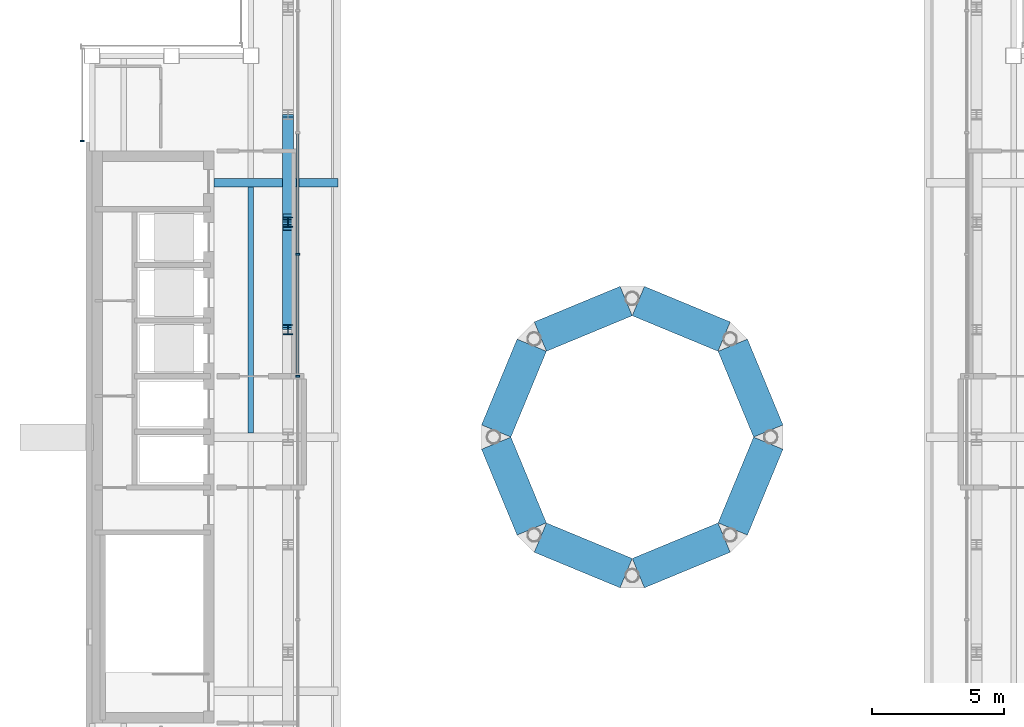
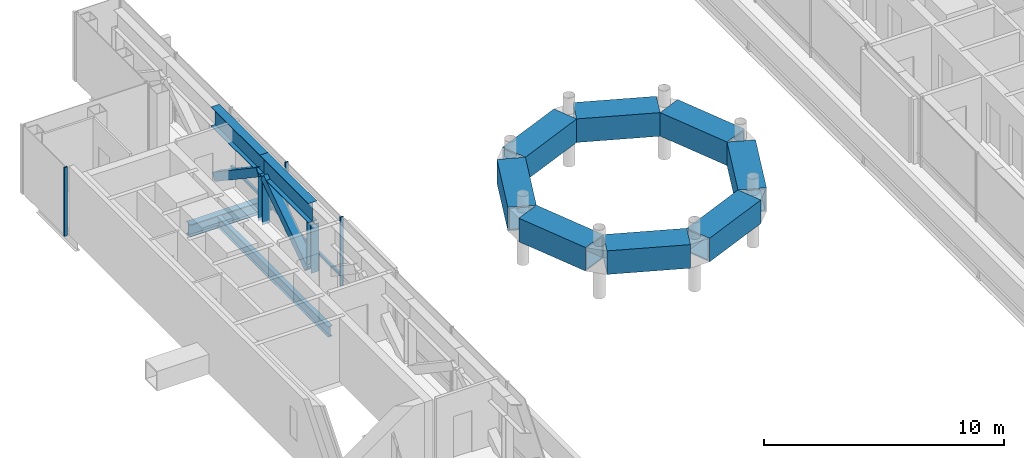
# One storey, part 5 of 16: 11 members, 10 beams, 2 elements without a shape of their own.
"""IFC4 building model written with IfcOpenShell, lengths in metres."""

from ifc_helpers import new_model, si_unit, direction, frame, origin, origin_2d, place, context, subcontext, project, spatial, rectangle, hollow_rectangle, i_section, extrude, material, material_profile, profile_set, type_object, element, aggregate, save


model = new_model("IFC4")

# Units and contexts
model_context = context("Model", 3, precision=1e-05, world=origin(), true_north=direction((0.0, 1.0)))
body_context = subcontext(model_context, "Body", "Model", "MODEL_VIEW")
ifc_project = project(units=[si_unit("LENGTHUNIT", "METRE"), si_unit("AREAUNIT", "SQUARE_METRE"), si_unit("VOLUMEUNIT", "CUBIC_METRE"), si_unit("PLANEANGLEUNIT", "RADIAN"), si_unit("MASSUNIT", "GRAM", prefix="KILO")], contexts=[model_context])

# Site, building, storey
site_placement = place(None, origin())
site = spatial("IfcSite", under=ifc_project, at=site_placement, CompositionType="ELEMENT")
building_placement = place(site_placement, origin())
building = spatial("IfcBuilding", under=site, at=building_placement, Name="Cobrizo Arcos Hotel Tower", CompositionType="ELEMENT")
storey_placement = place(building_placement, frame((0.0, 0.0, 286.5)))
storey = spatial("IfcBuildingStorey", under=building, at=storey_placement, Name="L76", CompositionType="ELEMENT", Elevation=286.5)

# Beams
ifc_material_1 = material(Name="Steel ASTM A572 Grade 50", Category="steel")
ifc_material_profile_1 = material_profile(ifc_material_1, hollow_rectangle(XDim=1.199951171875, YDim=1.199951171875, WallThickness=0.070068359375, at=origin_2d()), Name="BOX 1200X1200X70")
ifc_profile_set_1 = profile_set([ifc_material_profile_1], Name="Steel ASTM A572 Grade 50")
beam_type_1 = type_object("IfcBeamType", Name="BOX 1200X1200X70 drum ring beam", PredefinedType="BEAM", material=ifc_profile_set_1)
for number, where, z_axis, x_axis, name in (
    (1, (5.137451171875, 0.2294921875, 2.066650390625), (-0.382642737497, 0.923896387827, 0.0), (-0.923896387827, -0.382642737497, 0.0), "Drum ring beam RB1, tier 2, no. 0"),
    (2, (3.470458984375, 3.795166015625, 2.066650390625), (-0.923896387827, 0.382642737497, 0.0), (-0.382642737497, -0.923896387827, 0.0), "Drum ring beam RB2, tier 2, no. 1"),
    (3, (-0.2294921875, 5.137451171875, 2.066650390625), (-0.923896387827, -0.382642737497, 0.0), (0.382642737497, -0.923896387827, 0.0), "Drum ring beam RB3, tier 2, no. 2"),
    (4, (-3.795166015625, 3.470458984375, 2.066650390625), (-0.382642737497, -0.923896387827, 0.0), (0.923896387827, -0.382642737497, 0.0), "Drum ring beam RB4, tier 2, no. 3"),
    (5, (-5.137451171875, -0.2294921875, 2.066650390625), (0.382642737497, -0.923896387827, 0.0), (0.923896387827, 0.382642737497, 0.0), "Drum ring beam RB5, tier 2, no. 4"),
    (6, (-3.470458984375, -3.795166015625, 2.066650390625), (0.923896387827, -0.382642737497, 0.0), (0.382642737497, 0.923896387827, 0.0), "Drum ring beam RB6, tier 2, no. 5"),
    (7, (0.2294921875, -5.137451171875, 2.066650390625), (0.923896387827, 0.382642737497, 0.0), (-0.382642737497, 0.923896387827, 0.0), "Drum ring beam RB7, tier 2, no. 6"),
    (8, (3.795166015625, -3.470458984375, 2.066650390625), (0.382642737497, 0.923896387827, 0.0), (-0.923896387827, 0.382642737497, 0.0), "Drum ring beam RB8, tier 2, no. 7"),
):
    element("IfcBeam", number, at=place(storey_placement, frame(where, z_axis=z_axis, x_axis=x_axis)), inside=storey, type_object=beam_type_1, Name=name, PredefinedType="BEAM", context=body_context, shape_type="SweptSolid", body=[
        extrude(hollow_rectangle(XDim=1.199951171875, YDim=1.199951171875, WallThickness=0.070068359375, at=origin_2d()), origin(), (0.0, 0.0, 1.0), 3.5078125),
    ])

# Curtain wall, member
ifc_material_2 = material(Name="Aluminium 6063-T6 anodised bronze", Category="aluminium")
curtain_wall_type_1 = type_object("IfcCurtainWallType", Name="CW-A guest facade", PredefinedType="NOTDEFINED", material=ifc_material_2)
curtain_wall_1_placement = place(storey_placement, origin())
curtain_wall_1 = element("IfcCurtainWall", 9, at=curtain_wall_1_placement, inside=storey, type_object=curtain_wall_type_1, Name="CW-A L76 W face", PredefinedType="NOTDEFINED")
ifc_material_profile_2 = material_profile(ifc_material_2, rectangle(XDim=0.14990234375, YDim=0.06005859375, at=origin_2d()), Name="CW-A mullion 150x60")
ifc_profile_set_2 = profile_set([ifc_material_profile_2], Name="Aluminium 6063-T6 anodised bronze")
member_type_1 = type_object("IfcMemberType", Name="CW-A mullion 150x60", PredefinedType="MULLION", material=ifc_profile_set_2)
member_1_placement = place(storey_placement, frame((-20.77490234375, 11.179931640625, 0.0), z_axis=(0.0, 0.0, 1.0), x_axis=(-1.0, 0.0, 0.0)))
member_1 = element("IfcMember", 10, at=member_1_placement, type_object=member_type_1, Name="CW-A mullion 2", PredefinedType="MULLION", context=body_context, shape_type="SweptSolid", body=[
    extrude(rectangle(XDim=0.14990234375, YDim=0.06005859375, at=origin_2d()), origin(), (0.0, 0.0, 1.0), 3.5),
])
aggregate(curtain_wall_1, [member_1])

# Curtain wall, members
curtain_wall_type_2 = type_object("IfcCurtainWallType", Name="CW-C arch infill and crown glazing", PredefinedType="NOTDEFINED", material=ifc_material_2)
curtain_wall_2_placement = place(storey_placement, origin())
curtain_wall_2 = element("IfcCurtainWall", 11, at=curtain_wall_2_placement, inside=storey, type_object=curtain_wall_type_2, Name="CW-C L76 E face", PredefinedType="NOTDEFINED")
ifc_material_profile_3 = material_profile(ifc_material_2, rectangle(XDim=0.14990234375, YDim=0.070068359375, at=origin_2d()), Name="CW-C mullion 150x70")
ifc_profile_set_3 = profile_set([ifc_material_profile_3], Name="Aluminium 6063-T6 anodised bronze")
member_type_2 = type_object("IfcMemberType", Name="CW-C mullion 150x70", PredefinedType="MULLION", material=ifc_profile_set_3)
member_2_placement = place(storey_placement, frame((-12.625, 2.300048828125, 0.0), z_axis=(0.0, 0.0, 1.0), x_axis=(1.0, 0.0, 0.0)))
member_2 = element("IfcMember", 12, at=member_2_placement, type_object=member_type_2, Name="CW-C mullion 6", PredefinedType="MULLION", context=body_context, shape_type="SweptSolid", body=[
    extrude(rectangle(XDim=0.14990234375, YDim=0.070068359375, at=origin_2d()), origin(), (0.0, 0.0, 1.0), 3.5),
])
member_3_placement = place(storey_placement, frame((-12.625, 6.89990234375, 0.0), z_axis=(0.0, 0.0, 1.0), x_axis=(1.0, 0.0, 0.0)))
member_3 = element("IfcMember", 13, at=member_3_placement, type_object=member_type_2, Name="CW-C mullion 7", PredefinedType="MULLION", context=body_context, shape_type="SweptSolid", body=[
    extrude(rectangle(XDim=0.14990234375, YDim=0.070068359375, at=origin_2d()), origin(), (0.0, 0.0, 1.0), 3.5),
])
ifc_material_profile_4 = material_profile(ifc_material_2, rectangle(XDim=0.10009765625, YDim=0.139892578125, at=origin_2d()), Name="CW-C transom 140x100")
ifc_profile_set_4 = profile_set([ifc_material_profile_4], Name="Aluminium 6063-T6 anodised bronze")
member_type_3 = type_object("IfcMemberType", Name="CW-C transom 140x100", PredefinedType="USERDEFINED", material=ifc_profile_set_4)
member_4_placement = place(storey_placement, frame((-12.625, 2.3349609375, 0.5), z_axis=(0.0, 1.0, 0.0), x_axis=(-1.0, 0.0, 0.0)))
member_4 = element("IfcMember", 14, at=member_4_placement, type_object=member_type_3, Name="CW-C transom 2415", ObjectType="TRANSOM", PredefinedType="USERDEFINED", context=body_context, shape_type="SweptSolid", body=[
    extrude(rectangle(XDim=0.10009765625, YDim=0.139892578125, at=origin_2d()), origin(), (0.0, 0.0, 1.0), 4.530029296875),
])
member_5_placement = place(storey_placement, frame((-12.625, 6.93505859375, 0.5), z_axis=(0.0, 1.0, 0.0), x_axis=(-1.0, 0.0, 0.0)))
member_5 = element("IfcMember", 15, at=member_5_placement, type_object=member_type_3, Name="CW-C transom 2416", ObjectType="TRANSOM", PredefinedType="USERDEFINED", context=body_context, shape_type="SweptSolid", body=[
    extrude(rectangle(XDim=0.10009765625, YDim=0.139892578125, at=origin_2d()), origin(), (0.0, 0.0, 1.0), 4.530029296875),
])
aggregate(curtain_wall_2, [member_2, member_3, member_4, member_5])

# Members
ifc_material_3 = material(Name="Steel ASTM A500 Grade C", Category="steel")
ifc_material_profile_5 = material_profile(ifc_material_3, hollow_rectangle(XDim=0.406494140625, YDim=0.406494140625, WallThickness=0.014892578125, at=origin_2d()), Name="HSS16X16X5/8")
ifc_profile_set_5 = profile_set([ifc_material_profile_5], Name="Steel ASTM A500 Grade C")
member_type_4 = type_object("IfcMemberType", Name="HSS16X16X5/8 crown edge truss diagonal", PredefinedType="BRACE", material=ifc_profile_set_5)
for number, where, z_axis, x_axis, name in (
    (16, (-13.0, 4.259033203125, -0.14990234375), (0.0, 0.829974292143, 0.557801644299), (-1.0, 0.0, 0.0), "Crown truss diagonal CD1, west side, no. 06"),
    (17, (-13.0, 8.318115234375, 2.309326171875), (0.0, 0.829974292143, -0.557801644299), (-1.0, 0.0, 0.0), "Crown truss diagonal CD1, west side, no. 07"),
):
    element("IfcMember", number, at=place(storey_placement, frame(where, z_axis=z_axis, x_axis=x_axis)), inside=storey, type_object=member_type_4, Name=name, PredefinedType="BRACE", context=body_context, shape_type="SweptSolid", body=[
        extrude(hollow_rectangle(XDim=0.406494140625, YDim=0.406494140625, WallThickness=0.014892578125, at=origin_2d()), origin(), (0.0, 0.0, 1.0), 4.40869140625),
    ])
ifc_material_4 = material(Name="Steel ASTM A992 Grade 50", Category="steel")
ifc_material_profile_6 = material_profile(ifc_material_4, i_section(OverallWidth=0.373291015625, OverallDepth=0.373291015625, WebThickness=0.016357421875, FlangeThickness=0.026123046875, at=origin_2d()), Name="W14X132")
ifc_profile_set_6 = profile_set([ifc_material_profile_6], Name="Steel ASTM A992 Grade 50")
member_type_5 = type_object("IfcMemberType", Name="W14X132 crown edge truss post", PredefinedType="POST", material=ifc_profile_set_6)
for number, where, z_axis, x_axis, name in (
    (18, (-13.0, 4.05908203125, -0.14990234375), (0.0, 0.0, 1.0), (1.0, 0.0, 0.0), "Crown truss post CP1, west side, no. 06"),
    (19, (-13.0, 8.1181640625, -0.14990234375), (0.0, 0.0, 1.0), (1.0, 0.0, 0.0), "Crown truss post CP1, west side, no. 07"),
):
    element("IfcMember", number, at=place(storey_placement, frame(where, z_axis=z_axis, x_axis=x_axis)), inside=storey, type_object=member_type_5, Name=name, PredefinedType="POST", context=body_context, shape_type="SweptSolid", body=[
        extrude(i_section(OverallWidth=0.373291015625, OverallDepth=0.373291015625, WebThickness=0.016357421875, FlangeThickness=0.026123046875, at=origin_2d()), origin(), (0.0, 0.0, 1.0), 2.459228515625),
    ])

# Beams
ifc_material_profile_7 = material_profile(ifc_material_4, i_section(OverallWidth=0.209228515625, OverallDepth=0.533447265625, WebThickness=0.01025390625, FlangeThickness=0.015625, at=origin_2d()), Name="W21X62")
ifc_profile_set_7 = profile_set([ifc_material_profile_7], Name="Steel ASTM A992 Grade 50")
beam_type_2 = type_object("IfcBeamType", Name="W21X62 joist", PredefinedType="JOIST", material=ifc_profile_set_7)
beam_1_placement = place(storey_placement, frame((-14.39990234375, 0.163818359375, -0.416748046875), z_axis=(0.0, 1.0, 0.0), x_axis=(-1.0, 0.0, 0.0)))
element("IfcBeam", 20, at=beam_1_placement, inside=storey, type_object=beam_type_2, Name="Floor joist J1, L76, no. 005", PredefinedType="JOIST", context=body_context, shape_type="SweptSolid", body=[
    extrude(i_section(OverallWidth=0.209228515625, OverallDepth=0.533447265625, WebThickness=0.01025390625, FlangeThickness=0.015625, at=origin_2d()), origin(), (0.0, 0.0, 1.0), 9.272216796875),
])
ifc_material_profile_8 = material_profile(ifc_material_4, i_section(OverallWidth=0.32763671875, OverallDepth=0.622314453125, WebThickness=0.015380859375, FlangeThickness=0.0244140625, at=origin_2d()), Name="W24X131")
ifc_profile_set_8 = profile_set([ifc_material_profile_8], Name="Steel ASTM A992 Grade 50")
beam_type_3 = type_object("IfcBeamType", Name="W24X131 girder", PredefinedType="BEAM", material=ifc_profile_set_8)
beam_2_placement = place(storey_placement, frame((-15.7900390625, 9.60009765625, -0.461181640625), z_axis=(1.0, 0.0, 0.0), x_axis=(0.0, 1.0, 0.0)))
element("IfcBeam", 21, at=beam_2_placement, inside=storey, type_object=beam_type_3, Name="Floor girder G1, L76, no. 005", PredefinedType="BEAM", context=body_context, shape_type="SweptSolid", body=[
    extrude(i_section(OverallWidth=0.32763671875, OverallDepth=0.622314453125, WebThickness=0.015380859375, FlangeThickness=0.0244140625, at=origin_2d()), origin(), (0.0, 0.0, 1.0), 4.674072265625),
])

# Members
ifc_material_profile_9 = material_profile(ifc_material_4, i_section(OverallWidth=0.4013671875, OverallDepth=0.990478515625, WebThickness=0.0166015625, FlangeThickness=0.025390625, at=origin_2d()), Name="W40X215")
ifc_profile_set_9 = profile_set([ifc_material_profile_9], Name="Steel ASTM A992 Grade 50")
member_type_6 = type_object("IfcMemberType", Name="W40X215 crown edge truss chord", PredefinedType="CHORD", material=ifc_profile_set_9)
for number, where, z_axis, x_axis, name in (
    (22, (-13.0, 4.05908203125, 2.8046875), (0.0, 1.0, 0.0), (-1.0, 0.0, 0.0), "Crown truss top chord CC1, west side, no. 06"),
    (23, (-13.0, 8.1181640625, 2.8046875), (0.0, 1.0, 0.0), (-1.0, 0.0, 0.0), "Crown truss top chord CC1, west side, no. 07"),
):
    element("IfcMember", number, at=place(storey_placement, frame(where, z_axis=z_axis, x_axis=x_axis)), inside=storey, type_object=member_type_6, Name=name, PredefinedType="CHORD", context=body_context, shape_type="SweptSolid", body=[
        extrude(i_section(OverallWidth=0.4013671875, OverallDepth=0.990478515625, WebThickness=0.0166015625, FlangeThickness=0.025390625, at=origin_2d()), origin(), (0.0, 0.0, 1.0), 4.05908203125),
    ])

save(model, "model.ifc")
